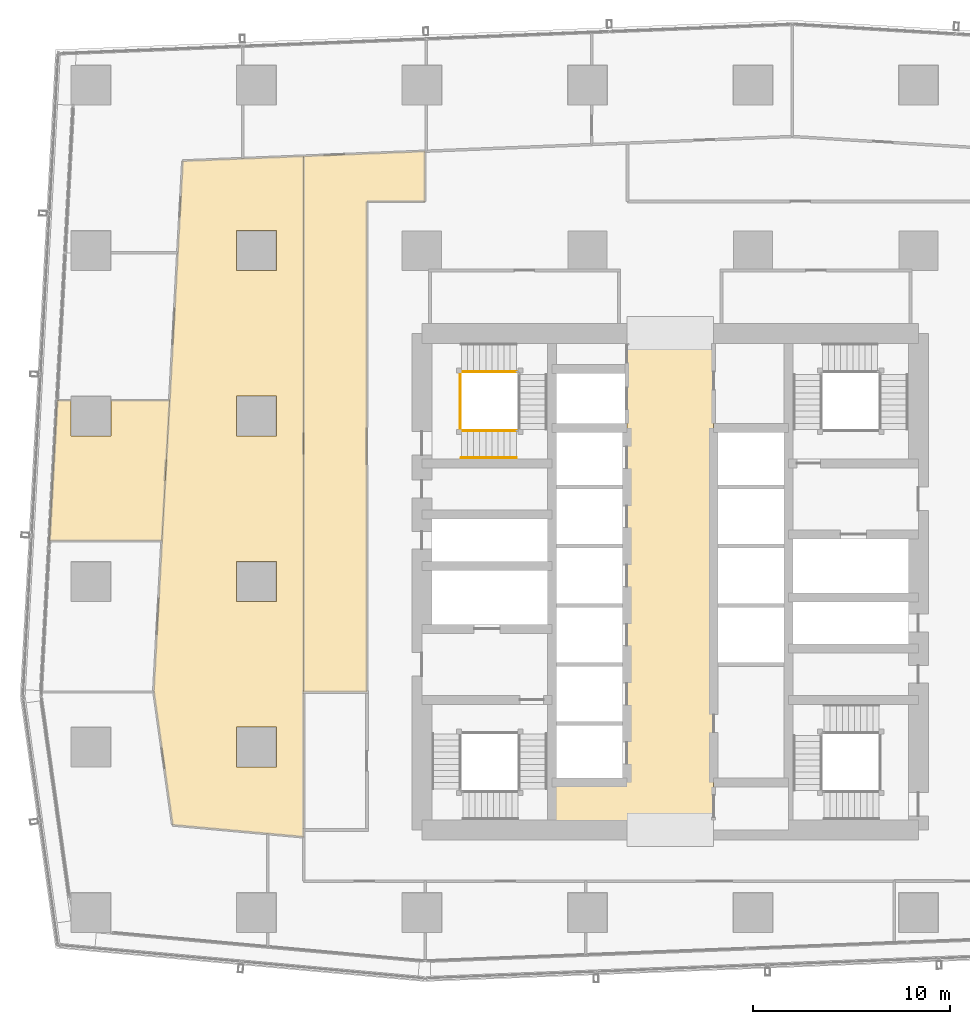
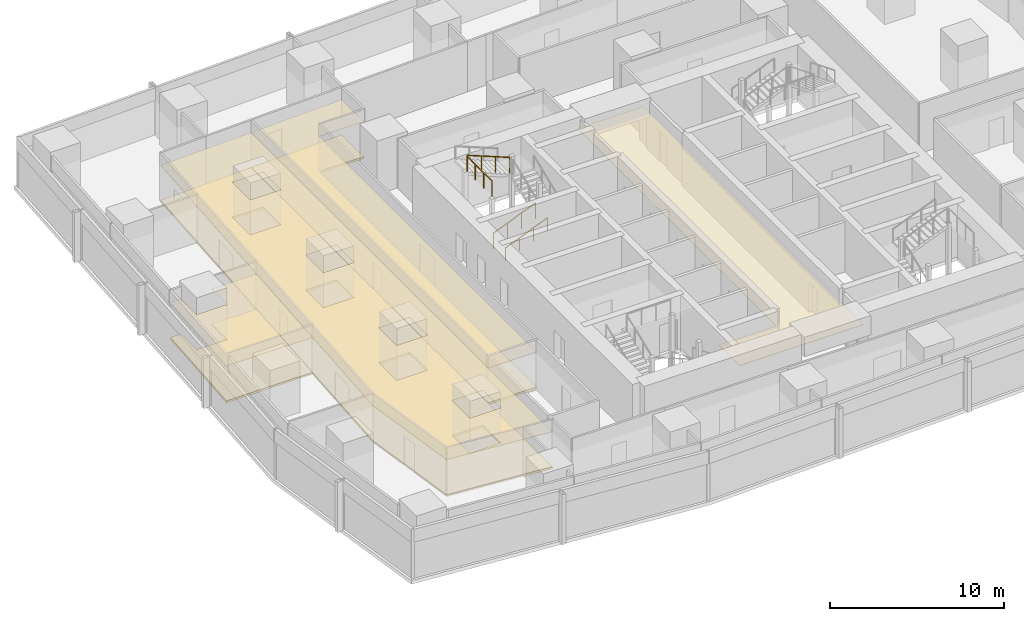
# One storey, part 34 of 39: 7 coverings, 4 railings.
"""IFC4 building model written with IfcOpenShell, lengths in metres."""

from ifc_helpers import new_model, si_unit, direction, frame, origin, origin_2d, place, context, subcontext, project, spatial, polyline, circle, outline, extrude, material, layer, layer_set, type_object, element, save


model = new_model("IFC4")

# Units and contexts
model_context = context("Model", 3, precision=1e-05, world=origin(), true_north=direction((0.0, 1.0)))
body_context = subcontext(model_context, "Body", "Model", "MODEL_VIEW")
ifc_project = project(units=[si_unit("LENGTHUNIT", "METRE"), si_unit("AREAUNIT", "SQUARE_METRE"), si_unit("VOLUMEUNIT", "CUBIC_METRE"), si_unit("PLANEANGLEUNIT", "RADIAN"), si_unit("MASSUNIT", "GRAM", prefix="KILO")], contexts=[model_context])

# Site, building, storey
site_placement = place(None, origin())
site = spatial("IfcSite", under=ifc_project, at=site_placement, CompositionType="ELEMENT")
building_placement = place(site_placement, origin())
building = spatial("IfcBuilding", under=site, at=building_placement, Name="Rekha Terrace Tower", CompositionType="ELEMENT")
storey_placement = place(building_placement, frame((0.0, 0.0, 147.800048828125)))
storey = spatial("IfcBuildingStorey", under=building, at=storey_placement, Name="L37", CompositionType="ELEMENT", Elevation=147.800048828125)

# Coverings
ifc_material_1 = material(Name="Mineral fibre tile in exposed grid", Category="finish")
ifc_layer_1 = layer(ifc_material_1, 0.02001953125)
ifc_layer_set_1 = layer_set([ifc_layer_1], Name="Mineral fibre tile in exposed grid")
covering_type_1 = type_object("IfcCoveringType", Name="CL1 600x1200 office grid ceiling", PredefinedType="CEILING", material=ifc_layer_set_1)
covering_1_placement = place(storey_placement, frame((0.0, 0.0, 2.579833984375)))
element("IfcCovering", 1, at=covering_1_placement, inside=storey, type_object=covering_type_1, Name="Ceiling L37-14", PredefinedType="CEILING", context=body_context, shape_type="SweptSolid", body=[
    extrude(outline(polyline([(6.2958984375, 35.68798828125), (12.00390625, 35.68798828125), (12.39404296875, 42.7939453125), (9.4150390625, 42.7939453125), (9.4150390625, 40.985107421875), (7.385009765625, 40.985107421875), (7.385009765625, 42.7939453125), (6.68505859375, 42.7939453125), (6.2958984375, 35.68798828125)])), origin(), (0.0, 0.0, 1.0), 0.02001953125),
])
covering_2_placement = place(storey_placement, frame((0.0, 0.0, 2.579833984375)))
element("IfcCovering", 2, at=covering_2_placement, inside=storey, type_object=covering_type_1, Name="Ceiling L37-19", PredefinedType="CEILING", context=body_context, shape_type="SweptSolid", body=[
    extrude(outline(polyline([(22.39990234375, 28.0), (22.39990234375, 52.89990234375), (25.346923828125, 52.89990234375), (25.346923828125, 55.446044921875), (19.199951171875, 55.199951171875), (19.199951171875, 28.0), (22.39990234375, 28.0)])), origin(), (0.0, 0.0, 1.0), 0.02001953125),
])
covering_3_placement = place(storey_placement, frame((0.0, 0.0, 2.579833984375)))
element("IfcCovering", 3, at=covering_3_placement, inside=storey, type_object=covering_type_1, Name="Ceiling L37-O1e", PredefinedType="CEILING", context=body_context, shape_type="SweptSolid", body=[
    extrude(outline(polyline([(11.5859375, 28.05810546875), (11.593994140625, 28.0), (12.5458984375, 21.248046875), (17.385009765625, 20.80908203125), (19.199951171875, 20.64404296875), (19.199951171875, 55.199951171875), (16.0859375, 55.074951171875), (13.06103515625, 54.9541015625), (12.804931640625, 50.283935546875), (12.39404296875, 42.7939453125), (12.00390625, 35.68701171875), (11.5859375, 28.05810546875)]), holes=[polyline([(17.81494140625, 26.215087890625), (17.81494140625, 24.18505859375), (15.784912109375, 24.18505859375), (15.784912109375, 26.215087890625), (17.81494140625, 26.215087890625)]), polyline([(17.81494140625, 34.614990234375), (17.81494140625, 32.5849609375), (15.784912109375, 32.5849609375), (15.784912109375, 34.614990234375), (17.81494140625, 34.614990234375)]), polyline([(17.81494140625, 40.985107421875), (15.784912109375, 40.985107421875), (15.784912109375, 43.014892578125), (17.81494140625, 43.014892578125), (17.81494140625, 40.985107421875)]), polyline([(17.81494140625, 49.385009765625), (15.784912109375, 49.385009765625), (15.784912109375, 51.4150390625), (17.81494140625, 51.4150390625), (17.81494140625, 49.385009765625)])]), origin(), (0.0, 0.0, 1.0), 0.02001953125),
])
ifc_material_2 = material(Name="Powder-coated aluminium pan", Category="aluminium")
ifc_layer_2 = layer(ifc_material_2, 0.030029296875)
ifc_layer_set_2 = layer_set([ifc_layer_2], Name="Powder-coated aluminium pan")
covering_type_2 = type_object("IfcCoveringType", Name="CL3 300x1200 metal pan ceiling", PredefinedType="CEILING", material=ifc_layer_set_2)
covering_4_placement = place(storey_placement, frame((0.0, 0.0, 2.570068359375)))
element("IfcCovering", 4, at=covering_4_placement, inside=storey, type_object=covering_type_2, Name="Ceiling L37-LOBBY", PredefinedType="CEILING", context=body_context, shape_type="SweptSolid", body=[
    extrude(outline(polyline([(35.60009765625, 46.199951171875), (35.60009765625, 23.39990234375), (31.800048828125, 23.39990234375), (31.800048828125, 21.0), (40.0, 21.0), (40.0, 46.199951171875), (35.60009765625, 46.199951171875)])), origin(), (0.0, 0.0, 1.0), 0.02978515625),
])

# Railings
ifc_material_3 = material(Name="Stainless steel balustrade", Category="steel")
railing_type_1 = type_object("IfcRailingType", Name="GR1 1100 stair guard", PredefinedType="GUARDRAIL", material=ifc_material_3)
railing_1_placement = place(storey_placement, frame((27.199951171875, 41.264892578125, 0.125)))
element("IfcRailing", 5, at=railing_1_placement, inside=storey, type_object=railing_type_1, Name="Guard ST4 L37 flight 1", PredefinedType="GUARDRAIL", context=body_context, shape_type="SweptSolid", body=[
    extrude(circle(Radius=0.02392578125, at=origin_2d()), frame((0.0, 0.0, 1.076171875), z_axis=(0.927443287984, 0.0, 0.373963831907), x_axis=(0.0, 1.0, 0.0)), (0.0, 0.0, 1.0), 3.00830078125),
    extrude(circle(Radius=0.02099609375, at=origin_2d()), origin(), (0.0, 0.0, 1.0), 1.052001953125),
    extrude(circle(Radius=0.02099609375, at=origin_2d()), frame((0.929931640625, 0.0, 0.375)), (0.0, 0.0, 1.0), 1.052001953125),
    extrude(circle(Radius=0.02099609375, at=origin_2d()), frame((1.860107421875, 0.0, 0.75)), (0.0, 0.0, 1.0), 1.052001953125),
    extrude(circle(Radius=0.02099609375, at=origin_2d()), frame((2.7900390625, 0.0, 1.125)), (0.0, 0.0, 1.0), 1.052001953125),
])
railing_2_placement = place(storey_placement, frame((29.989990234375, 44.260009765625, 2.625)))
element("IfcRailing", 6, at=railing_2_placement, inside=storey, type_object=railing_type_1, Name="Guard ST4 L37 flight 3", PredefinedType="GUARDRAIL", context=body_context, shape_type="SweptSolid", body=[
    extrude(circle(Radius=0.02392578125, at=origin_2d()), frame((0.0, 0.0, 1.076171875), z_axis=(-0.927443287984, 0.0, 0.373963831907), x_axis=(0.0, -1.0, 0.0)), (0.0, 0.0, 1.0), 3.00830078125),
    extrude(circle(Radius=0.02099609375, at=origin_2d()), origin(), (0.0, 0.0, 1.0), 1.052001953125),
    extrude(circle(Radius=0.02099609375, at=origin_2d()), frame((-0.929931640625, 0.0, 0.375)), (0.0, 0.0, 1.0), 1.052001953125),
    extrude(circle(Radius=0.02099609375, at=origin_2d()), frame((-1.860107421875, 0.0, 0.75)), (0.0, 0.0, 1.0), 1.052001953125),
    extrude(circle(Radius=0.02099609375, at=origin_2d()), frame((-2.7900390625, 0.0, 1.125)), (0.0, 0.0, 1.0), 1.052001953125),
])
railing_3_placement = place(storey_placement, frame((27.139892578125, 41.324951171875, 3.75)))
element("IfcRailing", 7, at=railing_3_placement, inside=storey, type_object=railing_type_1, Name="Guard ST4 L37 landing 4", PredefinedType="GUARDRAIL", context=body_context, shape_type="SweptSolid", body=[
    extrude(circle(Radius=0.02392578125, at=origin_2d()), frame((0.0, 0.0, 1.076171875), z_axis=(0.0, 1.0, 0.0), x_axis=(-1.0, 0.0, 0.0)), (0.0, 0.0, 1.0), 2.875),
    extrude(circle(Radius=0.02099609375, at=origin_2d()), origin(), (0.0, 0.0, 1.0), 1.052001953125),
    extrude(circle(Radius=0.02099609375, at=origin_2d()), frame((0.0, 0.958251953125, 0.0)), (0.0, 0.0, 1.0), 1.052001953125),
    extrude(circle(Radius=0.02099609375, at=origin_2d()), frame((0.0, 1.916748046875, 0.0)), (0.0, 0.0, 1.0), 1.052001953125),
    extrude(circle(Radius=0.02099609375, at=origin_2d()), frame((0.0, 2.875, 0.0)), (0.0, 0.0, 1.0), 1.052001953125),
])
ifc_material_4 = material(Name="Stainless steel tube", Category="steel")
railing_type_2 = type_object("IfcRailingType", Name="HR1 900 stair handrail", PredefinedType="HANDRAIL", material=ifc_material_4)
railing_4_placement = place(storey_placement, frame((27.199951171875, 39.885009765625, 0.125)))
element("IfcRailing", 8, at=railing_4_placement, inside=storey, type_object=railing_type_2, Name="Handrail ST4 L37 flight 1", PredefinedType="HANDRAIL", context=body_context, shape_type="SweptSolid", body=[
    extrude(circle(Radius=0.02392578125, at=origin_2d()), frame((0.0, 0.0, 0.8759765625), z_axis=(0.927443287984, 0.0, 0.373963831907), x_axis=(0.0, 1.0, 0.0)), (0.0, 0.0, 1.0), 3.00830078125),
    extrude(circle(Radius=0.02099609375, at=origin_2d()), origin(), (0.0, 0.0, 1.0), 0.851806640625),
    extrude(circle(Radius=0.02099609375, at=origin_2d()), frame((0.929931640625, 0.0, 0.375)), (0.0, 0.0, 1.0), 0.851806640625),
    extrude(circle(Radius=0.02099609375, at=origin_2d()), frame((1.860107421875, 0.0, 0.75)), (0.0, 0.0, 1.0), 0.851806640625),
    extrude(circle(Radius=0.02099609375, at=origin_2d()), frame((2.7900390625, 0.0, 1.125)), (0.0, 0.0, 1.0), 0.851806640625),
])

# Coverings
ifc_material_5 = material(Name="Calcium sulphate panels on steel pedestals", Category="steel")
ifc_layer_3 = layer(ifc_material_5, 0.14990234375)
ifc_layer_set_3 = layer_set([ifc_layer_3], Name="Calcium sulphate panels on steel pedestals")
covering_type_3 = type_object("IfcCoveringType", Name="RF1 150 raised access floor", PredefinedType="FLOORING", material=ifc_layer_set_3)
covering_5_placement = place(storey_placement, origin())
element("IfcCovering", 9, at=covering_5_placement, inside=storey, type_object=covering_type_3, Name="Raised floor L37-14", PredefinedType="FLOORING", context=body_context, shape_type="SweptSolid", body=[
    extrude(outline(polyline([(6.2958984375, 35.68798828125), (12.00390625, 35.68798828125), (12.39404296875, 42.7939453125), (9.4150390625, 42.7939453125), (9.4150390625, 40.985107421875), (7.385009765625, 40.985107421875), (7.385009765625, 42.7939453125), (6.68505859375, 42.7939453125), (6.2958984375, 35.68798828125)])), origin(), (0.0, 0.0, 1.0), 0.14990234375),
])
covering_6_placement = place(storey_placement, origin())
element("IfcCovering", 10, at=covering_6_placement, inside=storey, type_object=covering_type_3, Name="Raised floor L37-19", PredefinedType="FLOORING", context=body_context, shape_type="SweptSolid", body=[
    extrude(outline(polyline([(22.39990234375, 28.0), (22.39990234375, 52.89990234375), (25.346923828125, 52.89990234375), (25.346923828125, 55.446044921875), (19.199951171875, 55.199951171875), (19.199951171875, 28.0), (22.39990234375, 28.0)])), origin(), (0.0, 0.0, 1.0), 0.14990234375),
])
covering_7_placement = place(storey_placement, origin())
element("IfcCovering", 11, at=covering_7_placement, inside=storey, type_object=covering_type_3, Name="Raised floor L37-O1e", PredefinedType="FLOORING", context=body_context, shape_type="SweptSolid", body=[
    extrude(outline(polyline([(11.5859375, 28.05810546875), (11.593994140625, 28.0), (12.5458984375, 21.248046875), (17.385009765625, 20.80908203125), (19.199951171875, 20.64404296875), (19.199951171875, 55.199951171875), (16.0859375, 55.074951171875), (13.06103515625, 54.9541015625), (12.804931640625, 50.283935546875), (12.39404296875, 42.7939453125), (12.00390625, 35.68701171875), (11.5859375, 28.05810546875)]), holes=[polyline([(17.81494140625, 26.215087890625), (17.81494140625, 24.18505859375), (15.784912109375, 24.18505859375), (15.784912109375, 26.215087890625), (17.81494140625, 26.215087890625)]), polyline([(17.81494140625, 34.614990234375), (17.81494140625, 32.5849609375), (15.784912109375, 32.5849609375), (15.784912109375, 34.614990234375), (17.81494140625, 34.614990234375)]), polyline([(17.81494140625, 40.985107421875), (15.784912109375, 40.985107421875), (15.784912109375, 43.014892578125), (17.81494140625, 43.014892578125), (17.81494140625, 40.985107421875)]), polyline([(17.81494140625, 49.385009765625), (15.784912109375, 49.385009765625), (15.784912109375, 51.4150390625), (17.81494140625, 51.4150390625), (17.81494140625, 49.385009765625)])]), origin(), (0.0, 0.0, 1.0), 0.14990234375),
])

save(model, "model.ifc")
